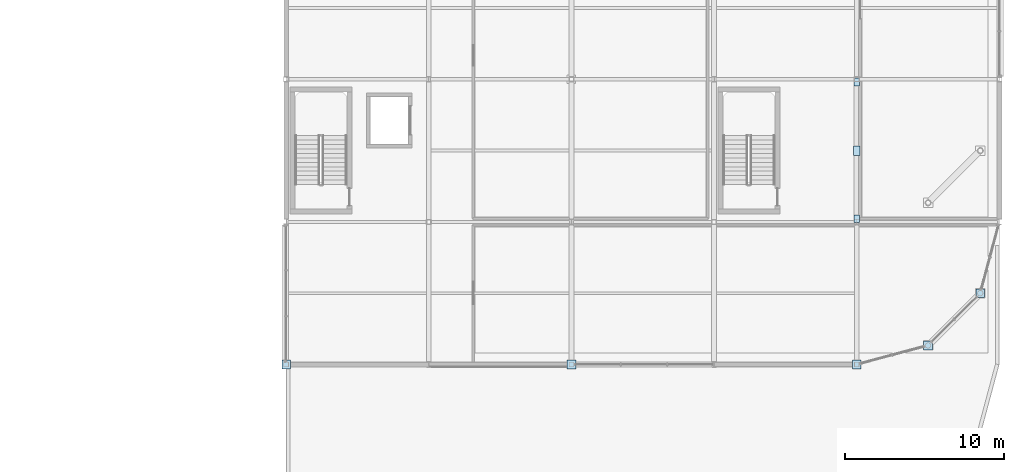
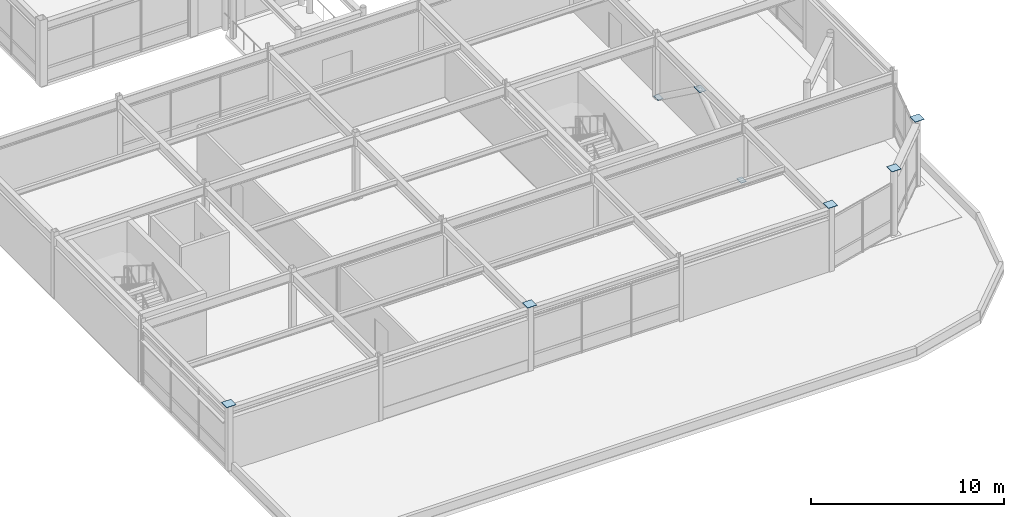
# One storey, part 76 of 108: 8 plates.
"""IFC4 building model written with IfcOpenShell, lengths in metres."""

from ifc_helpers import new_model, si_unit, direction, frame, origin, origin_2d, place, context, subcontext, project, spatial, rectangle, extrude, material, layer, layer_set, type_object, element, save


model = new_model("IFC4")

# Units and contexts
model_context = context("Model", 3, precision=1e-05, world=origin(), true_north=direction((0.0, 1.0)))
body_context = subcontext(model_context, "Body", "Model", "MODEL_VIEW")
ifc_project = project(units=[si_unit("LENGTHUNIT", "METRE"), si_unit("AREAUNIT", "SQUARE_METRE"), si_unit("VOLUMEUNIT", "CUBIC_METRE"), si_unit("PLANEANGLEUNIT", "RADIAN"), si_unit("MASSUNIT", "GRAM", prefix="KILO")], contexts=[model_context])

# Site, building, storey
site_placement = place(None, origin())
site = spatial("IfcSite", under=ifc_project, at=site_placement, CompositionType="ELEMENT")
building_placement = place(site_placement, origin())
building = spatial("IfcBuilding", under=site, at=building_placement, Name="Suzunagisa Mobility Hub", CompositionType="ELEMENT")
storey_placement = place(building_placement, frame((0.0, 0.0, 9.300048828125)))
storey = spatial("IfcBuildingStorey", under=building, at=storey_placement, Name="L02", CompositionType="ELEMENT", Elevation=9.300048828125)

# Plates
ifc_material = material(Name="Steel SN490B", Category="steel")
ifc_layer_1 = layer(ifc_material, 0.02392578125)
ifc_layer_set_1 = layer_set([ifc_layer_1], Name="Steel SN490B")
plate_type_1 = type_object("IfcPlateType", Name="Structural Steel Plate SP-01 550x550x24", PredefinedType="USERDEFINED", material=ifc_layer_set_1)
for number, where, z_axis, x_axis, name in (
    (1, (135.0, 9.0, 4.139892578125), (0.0, 0.0, 1.0), (1.0, 0.0, 0.0), "L02 Column Cap Plate CP-243"),
    (2, (153.0, 9.0, 4.139892578125), (0.0, 0.0, 1.0), (1.0, 0.0, 0.0), "L02 Column Cap Plate CP-265"),
    (3, (171.0, 9.0, 4.139892578125), (0.0, 0.0, 1.0), (1.0, 0.0, 0.0), "L02 Column Cap Plate CP-297"),
    (4, (175.5, 10.205810546875, 4.139892578125), (0.0, 0.0, 1.0), (1.0, 0.0, 0.0), "L02 Column Cap Plate CP-310"),
    (5, (178.794189453125, 13.5, 4.139892578125), (0.0, 0.0, 1.0), (1.0, 0.0, 0.0), "L02 Column Cap Plate CP-316"),
):
    element("IfcPlate", number, at=place(storey_placement, frame(where, z_axis=z_axis, x_axis=x_axis)), inside=storey, type_object=plate_type_1, Name=name, ObjectType="BASE PLATE", PredefinedType="USERDEFINED", context=body_context, shape_type="SweptSolid", body=[
        extrude(rectangle(XDim=0.550048828125, YDim=0.550048828125, at=origin_2d()), origin(), (0.0, 0.0, 1.0), 0.02392578125),
    ])
ifc_layer_2 = layer(ifc_material, 0.028076171875)
ifc_layer_set_2 = layer_set([ifc_layer_2], Name="Steel SN490B")
plate_type_2 = type_object("IfcPlateType", Name="Structural Steel Plate SP-04 480x320x28", PredefinedType="USERDEFINED", material=ifc_layer_set_2)
for number, where, z_axis, x_axis, name in (
    (6, (171.0, 18.18994140625, 0.10595703125), (0.0, 0.0, 1.0), (1.0, 0.0, 0.0), "L02 Brace Foot Gusset Plate FGP-128.1"),
    (7, (171.0, 26.830078125, 0.10595703125), (0.0, 0.0, 1.0), (1.0, 0.0, 0.0), "L02 Brace Foot Gusset Plate FGP-128.2"),
):
    element("IfcPlate", number, at=place(storey_placement, frame(where, z_axis=z_axis, x_axis=x_axis)), inside=storey, type_object=plate_type_2, Name=name, ObjectType="GUSSET PLATE", PredefinedType="USERDEFINED", context=body_context, shape_type="SweptSolid", body=[
        extrude(rectangle(XDim=0.320068359375, YDim=0.47998046875, at=origin_2d()), origin(), (0.0, 0.0, 1.0), 0.028076171875),
    ])
ifc_layer_3 = layer(ifc_material, 0.028076171875)
ifc_layer_set_3 = layer_set([ifc_layer_3], Name="Steel SN490B")
plate_type_3 = type_object("IfcPlateType", Name="Structural Steel Plate SP-06 600x400x28", PredefinedType="USERDEFINED", material=ifc_layer_set_3)
plate_placement = place(storey_placement, frame((171.0, 22.5, 3.26171875), z_axis=(0.0, 0.0, 1.0), x_axis=(1.0, 0.0, 0.0)))
element("IfcPlate", 8, at=plate_placement, inside=storey, type_object=plate_type_3, Name="L02 Brace Apex Gusset GP-128", ObjectType="GUSSET PLATE", PredefinedType="USERDEFINED", context=body_context, shape_type="SweptSolid", body=[
    extrude(rectangle(XDim=0.39990234375, YDim=0.60009765625, at=origin_2d()), origin(), (0.0, 0.0, 1.0), 0.028076171875),
])

save(model, "model.ifc")
